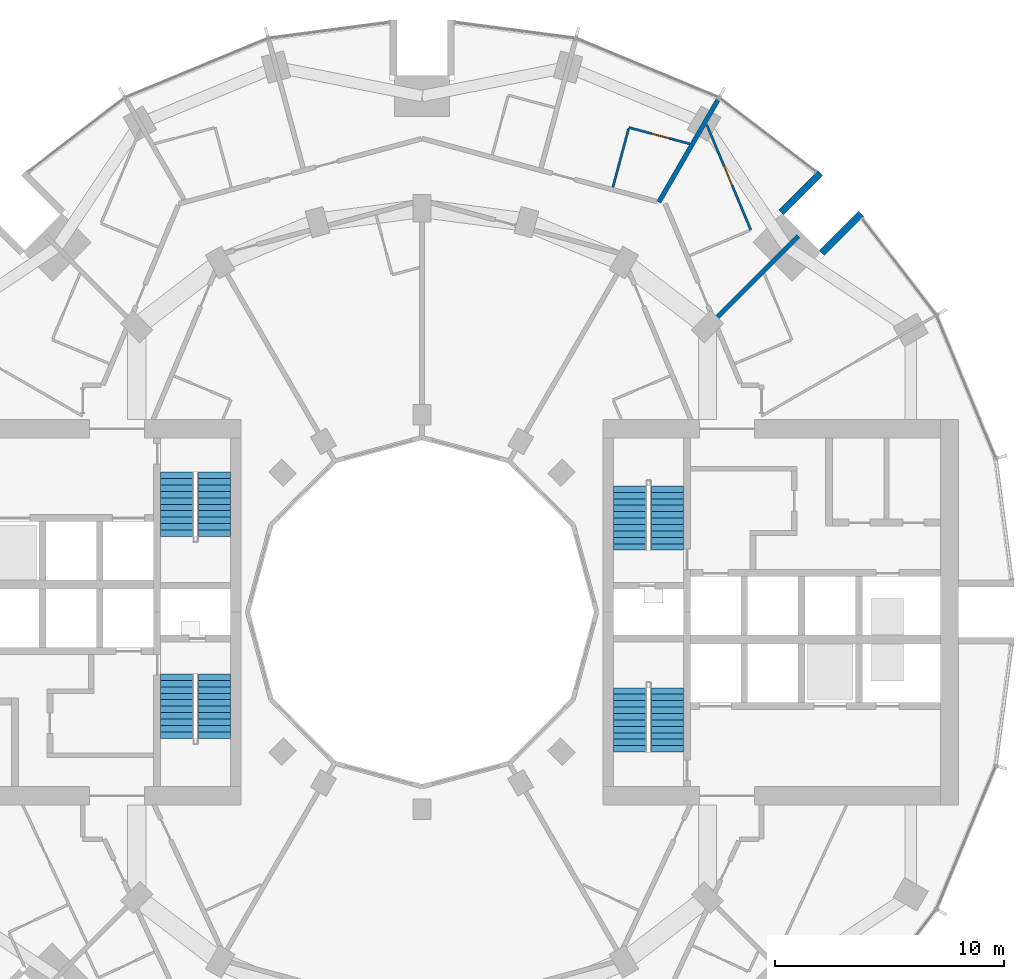
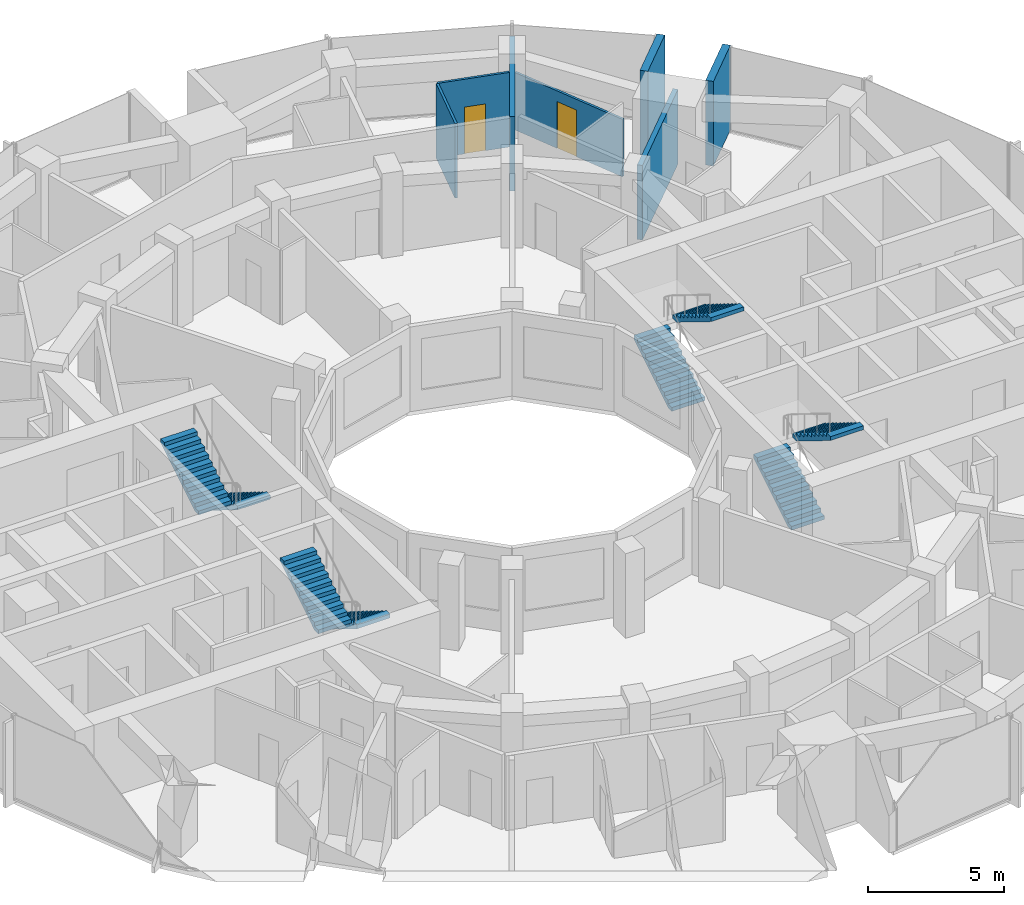
# One storey, part 13 of 15: 8 stair flights, 7 walls, 2 doors, 2 openings, 4 elements without a shape of their own.
"""IFC4 building model written with IfcOpenShell, lengths in metres."""

from ifc_helpers import new_model, si_unit, direction, frame, frame_2d, origin, place, context, subcontext, project, spatial, polyline, rectangle, outline, extrude, material, layer, layer_set, type_object, element, fill, aggregate, save


model = new_model("IFC4")

# Units and contexts
model_context = context("Model", 3, precision=1e-05, world=origin(), true_north=direction((0.0, 1.0)))
body_context = subcontext(model_context, "Body", "Model", "MODEL_VIEW")
ifc_project = project(units=[si_unit("LENGTHUNIT", "METRE"), si_unit("AREAUNIT", "SQUARE_METRE"), si_unit("VOLUMEUNIT", "CUBIC_METRE"), si_unit("PLANEANGLEUNIT", "RADIAN"), si_unit("MASSUNIT", "GRAM", prefix="KILO")], contexts=[model_context])

# Site, building, storey
site_placement = place(None, origin())
site = spatial("IfcSite", under=ifc_project, at=site_placement, CompositionType="ELEMENT")
building_placement = place(site_placement, origin())
building = spatial("IfcBuilding", under=site, at=building_placement, Name="Torre Brocal", CompositionType="ELEMENT")
storey_placement = place(building_placement, frame((0.0, 0.0, 90.0)))
storey = spatial("IfcBuildingStorey", under=building, at=storey_placement, Name="L20", CompositionType="ELEMENT", Elevation=90.0)

# Walls
ifc_material_1 = material(Name="Concrete C80", Category="concrete")
ifc_layer_1 = layer(ifc_material_1, 0.300048828125)
ifc_layer_set_1 = layer_set([ifc_layer_1], Name="Concrete C80")
wall_type_1 = type_object("IfcWallType", Name="NOTCH RETURN WALL 300 C80", PredefinedType="NOTDEFINED", material=ifc_layer_set_1)
for number, where, z_axis, x_axis, name in (
    (1, (97.43017578125, 90.662353515625, 0.0), (0.0, 0.0, 1.0), (0.707106781187, 0.707106781187, 0.0), "NOTCH RETURN WALL"),
    (2, (95.662353515625, 92.43017578125, 0.0), (0.0, 0.0, 1.0), (0.707106781187, 0.707106781187, 0.0), "NOTCH RETURN WALL"),
):
    element("IfcWall", number, at=place(storey_placement, frame(where, z_axis=z_axis, x_axis=x_axis)), inside=storey, type_object=wall_type_1, Name=name, PredefinedType="NOTDEFINED", context=body_context, shape_type="SweptSolid", body=[
        extrude(rectangle(XDim=2.415771484375, YDim=0.300048828125, at=frame_2d((1.2080078125, 0.0))), origin(), (0.0, 0.0, 1.0), 3.800048828125),
    ])
ifc_material_2 = material(Name="Gypsum board", Category="Gypsum")
ifc_layer_2 = layer(ifc_material_2, 0.10009765625)
ifc_layer_set_2 = layer_set([ifc_layer_2], Name="Gypsum board")
wall_type_2 = type_object("IfcWallType", Name="PARTITION 100", PredefinedType="PARTITIONING", material=ifc_layer_set_2)
wall_1_placement = place(storey_placement, frame((88.32080078125, 93.5205078125, 0.0), z_axis=(0.0, 0.0, 1.0), x_axis=(0.258677737588, 0.965963678446, 0.0)))
element("IfcWall", 3, at=wall_1_placement, inside=storey, type_object=wall_type_2, Name="BATHROOM WALL", PredefinedType="PARTITIONING", context=body_context, shape_type="SweptSolid", body=[
    extrude(rectangle(XDim=2.649169921875, YDim=0.10009765625, at=frame_2d((1.32470703125, 0.0))), origin(), (0.0, 0.0, 1.0), 3.35009765625),
])

# Wall, opening, door
wall_2_placement = place(storey_placement, frame((89.018798828125, 96.12744140625, 0.0), z_axis=(0.0, 0.0, 1.0), x_axis=(0.965839030583, -0.259142754101, 0.0)))
wall_2 = element("IfcWall", 4, at=wall_2_placement, inside=storey, type_object=wall_type_2, Name="BATHROOM WALL", PredefinedType="PARTITIONING", context=body_context, shape_type="SweptSolid", body=[
    extrude(rectangle(XDim=2.740478515625, YDim=0.10009765625, at=frame_2d((1.3701171875, 0.0))), origin(), (0.0, 0.0, 1.0), 3.35009765625),
])
opening_1_placement = place(wall_2_placement, frame((1.025634765625, 0.0, 0.0)))
opening_1 = element("IfcOpeningElement", 5, at=opening_1_placement, cuts=wall_2, Name="Opening H05-D07", PredefinedType="OPENING", context=body_context, shape_type="SweptSolid", body=[
    extrude(rectangle(XDim=0.800048828125, YDim=2.10009765625, at=frame_2d((0.39990234375, 1.050048828125))), frame((0.0, 0.06005859375, 0.0), z_axis=(0.0, -1.0, 0.0), x_axis=(1.0, 0.0, 0.0)), (0.0, 0.0, 1.0), 0.1201171875),
])
ifc_material_3 = material(Name="Timber", Category="wood")
door_type_1 = type_object("IfcDoorType", Name="BATHROOM DOOR 800X2100", OperationType="SINGLE_SWING_LEFT", PredefinedType="DOOR", material=ifc_material_3)
door_1_placement = place(opening_1_placement, frame((0.800048828125, 0.0, 0.0), z_axis=(0.0, 0.0, 1.0), x_axis=(-1.0, 0.0, 0.0)))
door_1 = element("IfcDoor", 6, at=door_1_placement, inside=storey, type_object=door_type_1, Name="H05-D07", OperationType="SINGLE_SWING_LEFT", OverallHeight=2.10009765625, OverallWidth=0.800048828125, PredefinedType="DOOR", context=body_context, shape_type="SweptSolid", body=[
    extrude(rectangle(XDim=0.800048828125, YDim=2.10009765625, at=frame_2d((0.39990234375, 1.050048828125))), frame((0.0, 0.02490234375, 0.0), z_axis=(0.0, -1.0, 0.0), x_axis=(1.0, 0.0, 0.0)), (0.0, 0.0, 1.0), 0.050048828125),
])
fill(opening_1, door_1)

ifc_material_4 = material(Name="Gypsum board", Category="Gypsum")
ifc_layer_3 = layer(ifc_material_4, 0.10009765625)
ifc_layer_set_3 = layer_set([ifc_layer_3], Name="Gypsum board")
wall_type_3 = type_object("IfcWallType", Name="PARTITION 100 UNDER BEAM 1220", PredefinedType="PARTITIONING", material=ifc_layer_set_3)
wall_3_placement = place(storey_placement, frame((92.4140625, 96.24609375, 0.0), z_axis=(0.0, 0.0, 1.0), x_axis=(0.386353683992, -0.922350709256, 0.0)))
wall_3 = element("IfcWall", 7, at=wall_3_placement, inside=storey, type_object=wall_type_3, Name="BATHROOM WALL", PredefinedType="PARTITIONING", context=body_context, shape_type="SweptSolid", body=[
    extrude(rectangle(XDim=4.974365234375, YDim=0.10009765625, at=frame_2d((2.4873046875, 0.0))), origin(), (0.0, 0.0, 1.0), 2.580078125),
])
opening_2_placement = place(wall_3_placement, frame((1.95703125, 0.0, 0.0)))
opening_2 = element("IfcOpeningElement", 8, at=opening_2_placement, cuts=wall_3, Name="Opening H05-D05", PredefinedType="OPENING", context=body_context, shape_type="SweptSolid", body=[
    extrude(rectangle(XDim=0.89990234375, YDim=2.10009765625, at=frame_2d((0.449951171875, 1.050048828125))), frame((0.0, 0.06005859375, 0.0), z_axis=(0.0, -1.0, 0.0), x_axis=(1.0, 0.0, 0.0)), (0.0, 0.0, 1.0), 0.1201171875),
])
ifc_material_5 = material(Name="Timber", Category="wood")
door_type_2 = type_object("IfcDoorType", Name="ACCESSIBLE BATHROOM DOOR 900X2100", OperationType="SINGLE_SWING_LEFT", PredefinedType="DOOR", material=ifc_material_5)
door_2_placement = place(opening_2_placement, frame((0.89990234375, 0.0, 0.0), z_axis=(0.0, 0.0, 1.0), x_axis=(-1.0, 0.0, 0.0)))
door_2 = element("IfcDoor", 9, at=door_2_placement, inside=storey, type_object=door_type_2, Name="H05-D05", OperationType="SINGLE_SWING_RIGHT", OverallHeight=2.10009765625, OverallWidth=0.89990234375, PredefinedType="DOOR", context=body_context, shape_type="SweptSolid", body=[
    extrude(rectangle(XDim=0.89990234375, YDim=2.10009765625, at=frame_2d((0.449951171875, 1.050048828125))), frame((0.0, 0.02490234375, 0.0), z_axis=(0.0, -1.0, 0.0), x_axis=(1.0, 0.0, 0.0)), (0.0, 0.0, 1.0), 0.050048828125),
])
fill(opening_2, door_2)

# Walls
ifc_material_6 = material(Name="Gypsum board", Category="Gypsum")
ifc_layer_4 = layer(ifc_material_6, 0.199951171875)
ifc_layer_set_4 = layer_set([ifc_layer_4], Name="Gypsum board")
wall_type_4 = type_object("IfcWallType", Name="PARTITION 200 EI60", PredefinedType="PARTITIONING", material=ifc_layer_set_4)
wall_4_placement = place(storey_placement, frame((90.32666015625, 92.8779296875, 0.0), z_axis=(0.0, 0.0, 1.0), x_axis=(0.50022153717, 0.865897461453, 0.0)))
element("IfcWall", 10, at=wall_4_placement, inside=storey, type_object=wall_type_4, Name="BATHROOM WALL", PredefinedType="PARTITIONING", context=body_context, shape_type="SweptSolid", body=[
    extrude(rectangle(XDim=5.151611328125, YDim=0.199951171875, at=frame_2d((2.57568359375, 0.0))), origin(), (0.0, 0.0, 1.0), 3.35009765625),
])
wall_5_placement = place(storey_placement, frame((92.831787109375, 87.824462890625, 0.0), z_axis=(0.0, 0.0, 1.0), x_axis=(0.707251566381, 0.70696196634, 0.0)))
element("IfcWall", 11, at=wall_5_placement, inside=storey, type_object=wall_type_4, Name="BATHROOM WALL", PredefinedType="PARTITIONING", context=body_context, shape_type="SweptSolid", body=[
    extrude(rectangle(XDim=5.05810546875, YDim=0.199951171875, at=frame_2d((2.529052734375, 0.0))), origin(), (0.0, 0.0, 1.0), 3.35009765625),
])

# Stair, stair flights
ifc_material_7 = material(Name="Concrete C50", Category="concrete")
stair_type = type_object("IfcStairType", Name="EXIT STAIR", PredefinedType="HALF_TURN_STAIR", material=ifc_material_7)
stair_1_placement = place(storey_placement, origin())
stair_1 = element("IfcStair", 12, at=stair_1_placement, inside=storey, type_object=stair_type, Name="EXIT STAIR ST1", PredefinedType="HALF_TURN_STAIR")
ifc_material_8 = material(Name="Concrete C50", Category="concrete")
ifc_layer_5 = layer(ifc_material_8, 0.14990234375)
ifc_layer_set_5 = layer_set([ifc_layer_5], Name="Concrete C50")
stair_flight_type = type_object("IfcStairFlightType", Name="STAIR FLIGHT", PredefinedType="STRAIGHT", material=ifc_layer_set_5)
stair_flight_1_placement = place(storey_placement, frame((89.050048828125, 77.699951171875, 0.0), z_axis=(0.0, 0.0, 1.0), x_axis=(0.0, 1.0, 0.0)))
stair_flight_1 = element("IfcStairFlight", 13, at=stair_flight_1_placement, type_object=stair_flight_type, Name="ST1 flight 1", NumberOfRisers=11, NumberOfTreads=10, PredefinedType="STRAIGHT", RiserHeight=0.172727273, TreadLength=0.28, context=body_context, shape_type="SweptSolid", body=[
    extrude(outline(polyline([(0.0, 0.0), (0.0, 0.172607421875), (0.280029296875, 0.172607421875), (0.280029296875, 0.345458984375), (0.56005859375, 0.345458984375), (0.56005859375, 0.51806640625), (0.840087890625, 0.51806640625), (0.840087890625, 0.69091796875), (1.1201171875, 0.69091796875), (1.1201171875, 0.863525390625), (1.39990234375, 0.863525390625), (1.39990234375, 1.036376953125), (1.679931640625, 1.036376953125), (1.679931640625, 1.208984375), (1.9599609375, 1.208984375), (1.9599609375, 1.3818359375), (2.239990234375, 1.3818359375), (2.239990234375, 1.554443359375), (2.52001953125, 1.554443359375), (2.52001953125, 1.727294921875), (2.800048828125, 1.727294921875), (2.800048828125, 1.89990234375), (2.800048828125, 1.551025390625), (0.285400390625, 0.0), (0.0, 0.0)])), frame((0.0, 0.699951171875, 0.0), z_axis=(0.0, -1.0, 0.0), x_axis=(1.0, 0.0, 0.0)), (0.0, 0.0, 1.0), 1.39990234375),
])
stair_flight_2_placement = place(storey_placement, frame((90.699951171875, 80.5, 1.89990234375), z_axis=(0.0, 0.0, 1.0), x_axis=(0.0, -1.0, 0.0)))
stair_flight_2 = element("IfcStairFlight", 14, at=stair_flight_2_placement, type_object=stair_flight_type, Name="ST1 flight 2", NumberOfRisers=11, NumberOfTreads=10, PredefinedType="STRAIGHT", RiserHeight=0.172727273, TreadLength=0.28, context=body_context, shape_type="SweptSolid", body=[
    extrude(outline(polyline([(0.0, 0.0), (0.0, 0.172607421875), (0.280029296875, 0.172607421875), (0.280029296875, 0.345458984375), (0.56005859375, 0.345458984375), (0.56005859375, 0.51806640625), (0.840087890625, 0.51806640625), (0.840087890625, 0.69091796875), (1.1201171875, 0.69091796875), (1.1201171875, 0.863525390625), (1.39990234375, 0.863525390625), (1.39990234375, 1.036376953125), (1.679931640625, 1.036376953125), (1.679931640625, 1.208984375), (1.9599609375, 1.208984375), (1.9599609375, 1.3818359375), (2.239990234375, 1.3818359375), (2.239990234375, 1.554443359375), (2.52001953125, 1.554443359375), (2.52001953125, 1.727294921875), (2.800048828125, 1.727294921875), (2.800048828125, 1.89990234375), (2.800048828125, 1.551025390625), (0.285400390625, 0.0), (0.0, 0.0)])), frame((0.0, 0.699951171875, 0.0), z_axis=(0.0, -1.0, 0.0), x_axis=(1.0, 0.0, 0.0)), (0.0, 0.0, 1.0), 1.39990234375),
])
aggregate(stair_1, [stair_flight_1, stair_flight_2])

stair_2_placement = place(storey_placement, origin())
stair_2 = element("IfcStair", 15, at=stair_2_placement, inside=storey, type_object=stair_type, Name="EXIT STAIR ST2", PredefinedType="HALF_TURN_STAIR")
stair_flight_3_placement = place(storey_placement, frame((89.050048828125, 68.89990234375, 0.0), z_axis=(0.0, 0.0, 1.0), x_axis=(0.0, 1.0, 0.0)))
stair_flight_3 = element("IfcStairFlight", 16, at=stair_flight_3_placement, type_object=stair_flight_type, Name="ST2 flight 1", NumberOfRisers=11, NumberOfTreads=10, PredefinedType="STRAIGHT", RiserHeight=0.172727273, TreadLength=0.28, context=body_context, shape_type="SweptSolid", body=[
    extrude(outline(polyline([(0.0, 0.0), (0.0, 0.172607421875), (0.280029296875, 0.172607421875), (0.280029296875, 0.345458984375), (0.56005859375, 0.345458984375), (0.56005859375, 0.51806640625), (0.840087890625, 0.51806640625), (0.840087890625, 0.69091796875), (1.1201171875, 0.69091796875), (1.1201171875, 0.863525390625), (1.39990234375, 0.863525390625), (1.39990234375, 1.036376953125), (1.679931640625, 1.036376953125), (1.679931640625, 1.208984375), (1.9599609375, 1.208984375), (1.9599609375, 1.3818359375), (2.239990234375, 1.3818359375), (2.239990234375, 1.554443359375), (2.52001953125, 1.554443359375), (2.52001953125, 1.727294921875), (2.800048828125, 1.727294921875), (2.800048828125, 1.89990234375), (2.800048828125, 1.551025390625), (0.285400390625, 0.0), (0.0, 0.0)])), frame((0.0, 0.699951171875, 0.0), z_axis=(0.0, -1.0, 0.0), x_axis=(1.0, 0.0, 0.0)), (0.0, 0.0, 1.0), 1.39990234375),
])
stair_flight_4_placement = place(storey_placement, frame((90.699951171875, 71.699951171875, 1.89990234375), z_axis=(0.0, 0.0, 1.0), x_axis=(0.0, -1.0, 0.0)))
stair_flight_4 = element("IfcStairFlight", 17, at=stair_flight_4_placement, type_object=stair_flight_type, Name="ST2 flight 2", NumberOfRisers=11, NumberOfTreads=10, PredefinedType="STRAIGHT", RiserHeight=0.172727273, TreadLength=0.28, context=body_context, shape_type="SweptSolid", body=[
    extrude(outline(polyline([(0.0, 0.0), (0.0, 0.172607421875), (0.280029296875, 0.172607421875), (0.280029296875, 0.345458984375), (0.56005859375, 0.345458984375), (0.56005859375, 0.51806640625), (0.840087890625, 0.51806640625), (0.840087890625, 0.69091796875), (1.1201171875, 0.69091796875), (1.1201171875, 0.863525390625), (1.39990234375, 0.863525390625), (1.39990234375, 1.036376953125), (1.679931640625, 1.036376953125), (1.679931640625, 1.208984375), (1.9599609375, 1.208984375), (1.9599609375, 1.3818359375), (2.239990234375, 1.3818359375), (2.239990234375, 1.554443359375), (2.52001953125, 1.554443359375), (2.52001953125, 1.727294921875), (2.800048828125, 1.727294921875), (2.800048828125, 1.89990234375), (2.800048828125, 1.551025390625), (0.285400390625, 0.0), (0.0, 0.0)])), frame((0.0, 0.699951171875, 0.0), z_axis=(0.0, -1.0, 0.0), x_axis=(1.0, 0.0, 0.0)), (0.0, 0.0, 1.0), 1.39990234375),
])
aggregate(stair_2, [stair_flight_3, stair_flight_4])

stair_3_placement = place(storey_placement, origin())
stair_3 = element("IfcStair", 18, at=stair_3_placement, inside=storey, type_object=stair_type, Name="EXIT STAIR ST3", PredefinedType="HALF_TURN_STAIR")
stair_flight_5_placement = place(storey_placement, frame((70.949951171875, 72.300048828125, 0.0), z_axis=(0.0, 0.0, 1.0), x_axis=(0.0, -1.0, 0.0)))
stair_flight_5 = element("IfcStairFlight", 19, at=stair_flight_5_placement, type_object=stair_flight_type, Name="ST3 flight 1", NumberOfRisers=11, NumberOfTreads=10, PredefinedType="STRAIGHT", RiserHeight=0.172727273, TreadLength=0.28, context=body_context, shape_type="SweptSolid", body=[
    extrude(outline(polyline([(0.0, 0.0), (0.0, 0.172607421875), (0.280029296875, 0.172607421875), (0.280029296875, 0.345458984375), (0.56005859375, 0.345458984375), (0.56005859375, 0.51806640625), (0.840087890625, 0.51806640625), (0.840087890625, 0.69091796875), (1.1201171875, 0.69091796875), (1.1201171875, 0.863525390625), (1.39990234375, 0.863525390625), (1.39990234375, 1.036376953125), (1.679931640625, 1.036376953125), (1.679931640625, 1.208984375), (1.9599609375, 1.208984375), (1.9599609375, 1.3818359375), (2.239990234375, 1.3818359375), (2.239990234375, 1.554443359375), (2.52001953125, 1.554443359375), (2.52001953125, 1.727294921875), (2.800048828125, 1.727294921875), (2.800048828125, 1.89990234375), (2.800048828125, 1.551025390625), (0.285400390625, 0.0), (0.0, 0.0)])), frame((0.0, 0.699951171875, 0.0), z_axis=(0.0, -1.0, 0.0), x_axis=(1.0, 0.0, 0.0)), (0.0, 0.0, 1.0), 1.39990234375),
])
stair_flight_6_placement = place(storey_placement, frame((69.300048828125, 69.5, 1.89990234375), z_axis=(0.0, 0.0, 1.0), x_axis=(0.0, 1.0, 0.0)))
stair_flight_6 = element("IfcStairFlight", 20, at=stair_flight_6_placement, type_object=stair_flight_type, Name="ST3 flight 2", NumberOfRisers=11, NumberOfTreads=10, PredefinedType="STRAIGHT", RiserHeight=0.172727273, TreadLength=0.28, context=body_context, shape_type="SweptSolid", body=[
    extrude(outline(polyline([(0.0, 0.0), (0.0, 0.172607421875), (0.280029296875, 0.172607421875), (0.280029296875, 0.345458984375), (0.56005859375, 0.345458984375), (0.56005859375, 0.51806640625), (0.840087890625, 0.51806640625), (0.840087890625, 0.69091796875), (1.1201171875, 0.69091796875), (1.1201171875, 0.863525390625), (1.39990234375, 0.863525390625), (1.39990234375, 1.036376953125), (1.679931640625, 1.036376953125), (1.679931640625, 1.208984375), (1.9599609375, 1.208984375), (1.9599609375, 1.3818359375), (2.239990234375, 1.3818359375), (2.239990234375, 1.554443359375), (2.52001953125, 1.554443359375), (2.52001953125, 1.727294921875), (2.800048828125, 1.727294921875), (2.800048828125, 1.89990234375), (2.800048828125, 1.551025390625), (0.285400390625, 0.0), (0.0, 0.0)])), frame((0.0, 0.699951171875, 0.0), z_axis=(0.0, -1.0, 0.0), x_axis=(1.0, 0.0, 0.0)), (0.0, 0.0, 1.0), 1.39990234375),
])
aggregate(stair_3, [stair_flight_5, stair_flight_6])

stair_4_placement = place(storey_placement, origin())
stair_4 = element("IfcStair", 21, at=stair_4_placement, inside=storey, type_object=stair_type, Name="EXIT STAIR ST4", PredefinedType="HALF_TURN_STAIR")
stair_flight_7_placement = place(storey_placement, frame((70.949951171875, 81.10009765625, 0.0), z_axis=(0.0, 0.0, 1.0), x_axis=(0.0, -1.0, 0.0)))
stair_flight_7 = element("IfcStairFlight", 22, at=stair_flight_7_placement, type_object=stair_flight_type, Name="ST4 flight 1", NumberOfRisers=11, NumberOfTreads=10, PredefinedType="STRAIGHT", RiserHeight=0.172727273, TreadLength=0.28, context=body_context, shape_type="SweptSolid", body=[
    extrude(outline(polyline([(0.0, 0.0), (0.0, 0.172607421875), (0.280029296875, 0.172607421875), (0.280029296875, 0.345458984375), (0.56005859375, 0.345458984375), (0.56005859375, 0.51806640625), (0.840087890625, 0.51806640625), (0.840087890625, 0.69091796875), (1.1201171875, 0.69091796875), (1.1201171875, 0.863525390625), (1.39990234375, 0.863525390625), (1.39990234375, 1.036376953125), (1.679931640625, 1.036376953125), (1.679931640625, 1.208984375), (1.9599609375, 1.208984375), (1.9599609375, 1.3818359375), (2.239990234375, 1.3818359375), (2.239990234375, 1.554443359375), (2.52001953125, 1.554443359375), (2.52001953125, 1.727294921875), (2.800048828125, 1.727294921875), (2.800048828125, 1.89990234375), (2.800048828125, 1.551025390625), (0.285400390625, 0.0), (0.0, 0.0)])), frame((0.0, 0.699951171875, 0.0), z_axis=(0.0, -1.0, 0.0), x_axis=(1.0, 0.0, 0.0)), (0.0, 0.0, 1.0), 1.39990234375),
])
stair_flight_8_placement = place(storey_placement, frame((69.300048828125, 78.300048828125, 1.89990234375), z_axis=(0.0, 0.0, 1.0), x_axis=(0.0, 1.0, 0.0)))
stair_flight_8 = element("IfcStairFlight", 23, at=stair_flight_8_placement, type_object=stair_flight_type, Name="ST4 flight 2", NumberOfRisers=11, NumberOfTreads=10, PredefinedType="STRAIGHT", RiserHeight=0.172727273, TreadLength=0.28, context=body_context, shape_type="SweptSolid", body=[
    extrude(outline(polyline([(0.0, 0.0), (0.0, 0.172607421875), (0.280029296875, 0.172607421875), (0.280029296875, 0.345458984375), (0.56005859375, 0.345458984375), (0.56005859375, 0.51806640625), (0.840087890625, 0.51806640625), (0.840087890625, 0.69091796875), (1.1201171875, 0.69091796875), (1.1201171875, 0.863525390625), (1.39990234375, 0.863525390625), (1.39990234375, 1.036376953125), (1.679931640625, 1.036376953125), (1.679931640625, 1.208984375), (1.9599609375, 1.208984375), (1.9599609375, 1.3818359375), (2.239990234375, 1.3818359375), (2.239990234375, 1.554443359375), (2.52001953125, 1.554443359375), (2.52001953125, 1.727294921875), (2.800048828125, 1.727294921875), (2.800048828125, 1.89990234375), (2.800048828125, 1.551025390625), (0.285400390625, 0.0), (0.0, 0.0)])), frame((0.0, 0.699951171875, 0.0), z_axis=(0.0, -1.0, 0.0), x_axis=(1.0, 0.0, 0.0)), (0.0, 0.0, 1.0), 1.39990234375),
])
aggregate(stair_4, [stair_flight_7, stair_flight_8])

save(model, "model.ifc")
